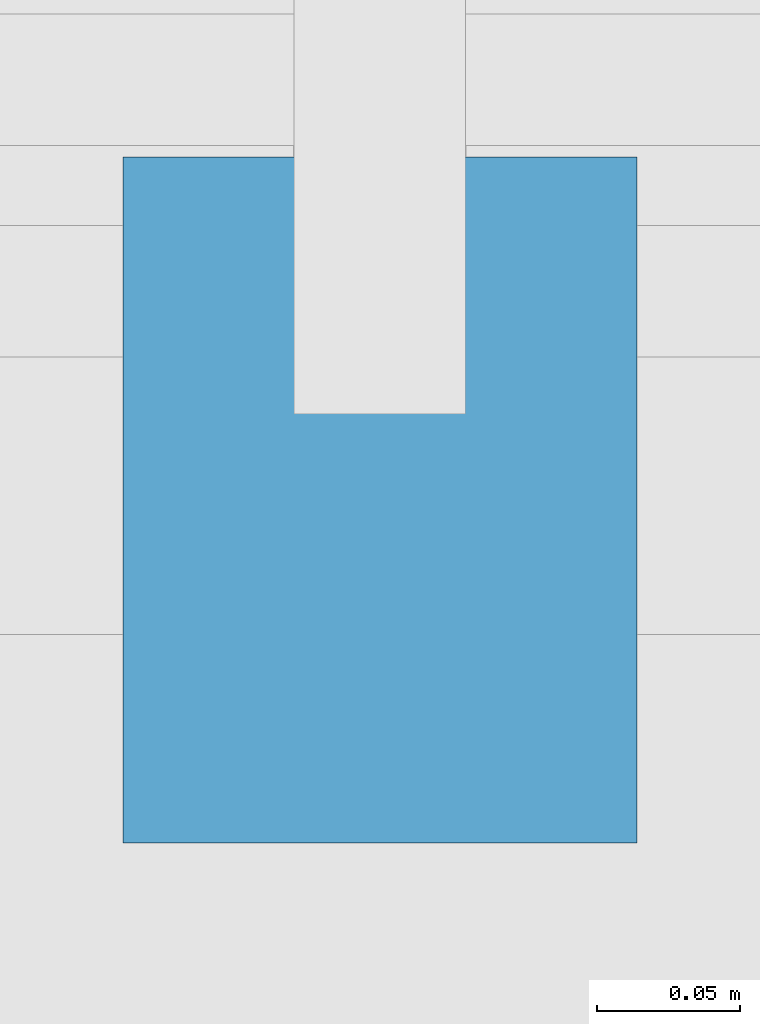
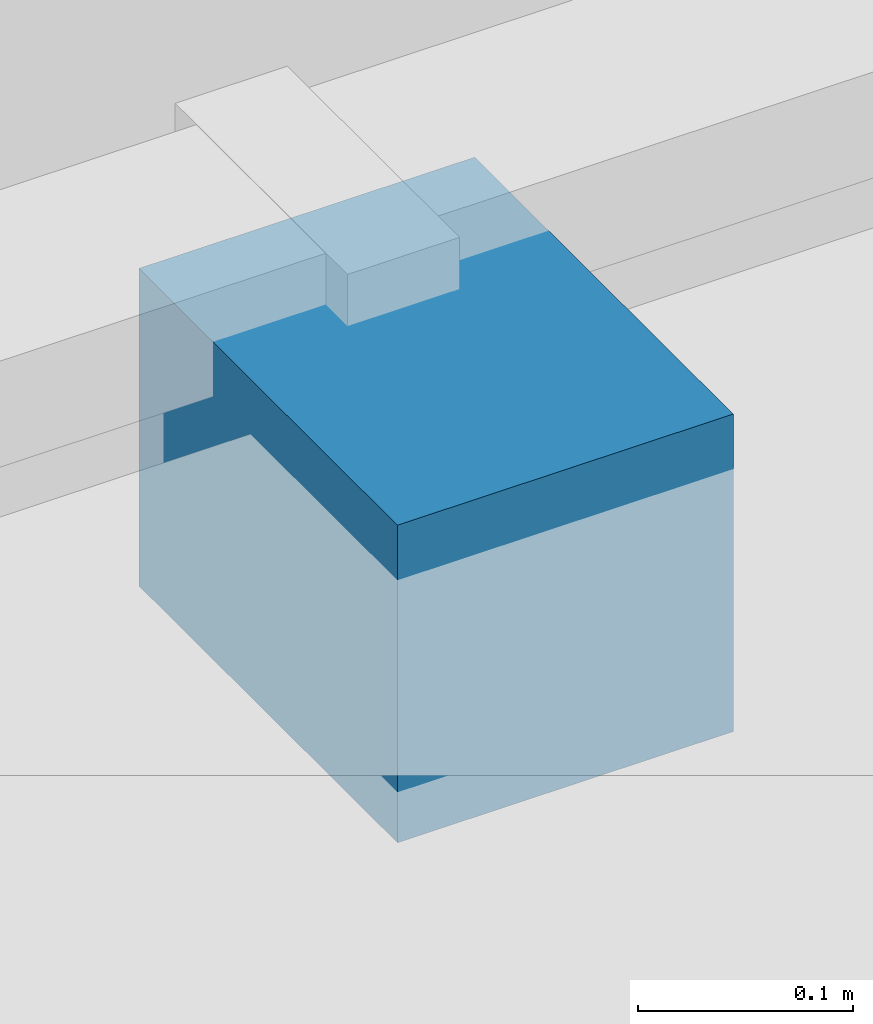
# One storey, part 76 of 105: 1 discrete accessory.
"""IFC4 building model written with IfcOpenShell, lengths in metres."""

import ifcopenshell
import ifcopenshell.guid

model = None  # the IFC model being written
_history = None  # IfcOwnerHistory: only IFC2X3 demands one
_inside = {}  # id of a spatial element -> (the spatial element, [elements in it])
_under = {}  # id of a project, library or spatial element -> (it, [spatial elements below it])
_declared = {}  # id of a project -> (the project, [libraries it declares])
_typed = {}  # id of a type object -> (the type object, [elements of that type])
_made_of = {}  # id of a material, layer set ... -> (it, [elements and type objects made of it])


def new_model(schema):
    """Start an empty IFC model of exactly this schema.

    Asked for "IFC4X3", IfcOpenShell would pick the latest addendum, in which some entities
    have other attributes; the version numbers below select the first issue.
    IFC2X3 requires an IfcOwnerHistory on every rooted entity: one is made here for all.
    """
    global model, _history
    if schema == "IFC4X3":
        model = ifcopenshell.file(schema_version=(4, 3, 0, 0))
    else:
        model = ifcopenshell.file(schema=schema)
    _inside.clear()
    _under.clear()
    _declared.clear()
    _typed.clear()
    _made_of.clear()
    _history = None
    if model.schema == "IFC2X3":
        org = make("IfcOrganization", Name="unknown")
        user = make(
            "IfcPersonAndOrganization",
            ThePerson=make("IfcPerson", FamilyName="unknown"),
            TheOrganization=org,
        )
        app = make(
            "IfcApplication",
            ApplicationDeveloper=org,
            Version="unknown",
            ApplicationFullName="unknown",
            ApplicationIdentifier="unknown",
        )
        _history = make(
            "IfcOwnerHistory",
            OwningUser=user,
            OwningApplication=app,
            ChangeAction="ADDED",
            CreationDate=0,
        )
    return model


def make(cls, **values):
    """One entity of the class cls with the attributes given. An attribute that is None is left unset."""
    return model.create_entity(
        cls, **{name: value for name, value in values.items() if value is not None}
    )


def rooted(cls, **values):
    """An entity with a GlobalId (a new one), such as an element, a storey or a relation."""
    return make(cls, GlobalId=ifcopenshell.guid.new(), OwnerHistory=_history, **values)


def si_unit(unit_type, name, prefix=None):
    """IfcSIUnit, for example si_unit("LENGTHUNIT", "METRE", prefix="MILLI")."""
    return make("IfcSIUnit", UnitType=unit_type, Prefix=prefix, Name=name)


def assignment(units):
    """IfcUnitAssignment: the units of a project."""
    return None if units is None else make("IfcUnitAssignment", Units=units)


def point(xyz):
    """IfcCartesianPoint."""
    return None if xyz is None else make("IfcCartesianPoint", Coordinates=xyz)


def direction(xyz):
    """IfcDirection."""
    return None if xyz is None else make("IfcDirection", DirectionRatios=xyz)


def frame(location, z_axis=None, x_axis=None):
    """IfcAxis2Placement3D, a coordinate frame: its origin and axes. An axis left out is left unset."""
    return make(
        "IfcAxis2Placement3D",
        Location=point(location),
        Axis=direction(z_axis),
        RefDirection=direction(x_axis),
    )


def frame_2d(location, x_axis=None):
    """IfcAxis2Placement2D, a coordinate frame in the plane: its origin and x axis."""
    return make(
        "IfcAxis2Placement2D", Location=point(location), RefDirection=direction(x_axis)
    )


def origin():
    """The frame at (0, 0, 0) with its axes left unset."""
    return frame((0.0, 0.0, 0.0))


def origin_2d():
    """The frame at (0, 0) in the plane with its x axis left unset."""
    return frame_2d((0.0, 0.0))


def place(relative_to, where):
    """IfcLocalPlacement: puts the frame where relative to a parent placement (None: the world)."""
    return make(
        "IfcLocalPlacement", PlacementRelTo=relative_to, RelativePlacement=where
    )


def context(
    kind, dimensions, precision=None, world=None, true_north=None, identifier=None
):
    """IfcGeometricRepresentationContext, for example the 3D "Model" context."""
    return make(
        "IfcGeometricRepresentationContext",
        ContextIdentifier=identifier,
        ContextType=kind,
        CoordinateSpaceDimension=dimensions,
        Precision=precision,
        WorldCoordinateSystem=world,
        TrueNorth=true_north,
    )


def subcontext(parent, identifier, kind, view, scale=None):
    """IfcGeometricRepresentationSubContext, for example "Body" below "Model"."""
    return make(
        "IfcGeometricRepresentationSubContext",
        ContextIdentifier=identifier,
        ContextType=kind,
        ParentContext=parent,
        TargetScale=scale,
        TargetView=view,
    )


def project(units=None, contexts=None):
    """IfcProject with its units and contexts."""
    return rooted(
        "IfcProject",
        Name="project",
        RepresentationContexts=contexts,
        UnitsInContext=assignment(units),
    )


def spatial(cls, under=None, at=None, **own):
    """A site, building, storey or space (cls), placed at a placement, below another one or the project."""
    s = rooted(cls, ObjectPlacement=at, **own)
    if under is not None:
        _under.setdefault(under.id(), (under, []))[1].append(s)
    return s


def profile(cls, at=None, kind="AREA", **sizes):
    """A parametric profile (cls). Its sizes go by their IFC names, for example OverallWidth=200.0."""
    return make(cls, ProfileType=kind, Position=at, **sizes)


def rectangle(**sizes):
    """IfcRectangleProfileDef."""
    return profile("IfcRectangleProfileDef", **sizes)


def extrude(swept, where, along, depth):
    """IfcExtrudedAreaSolid: the profile swept, set in the frame where, extruded along a direction by depth."""
    return make(
        "IfcExtrudedAreaSolid",
        SweptArea=swept,
        Position=where,
        ExtrudedDirection=direction(along),
        Depth=depth,
    )


def shape(context_of_items, identifier, shape_type, items):
    """IfcShapeRepresentation: the items that make up one representation, for example the "Body"."""
    return make(
        "IfcShapeRepresentation",
        ContextOfItems=context_of_items,
        RepresentationIdentifier=identifier,
        RepresentationType=shape_type,
        Items=items,
    )


def material(Name=None, Category=None):
    """IfcMaterial."""
    return make("IfcMaterial", Name=Name, Category=Category)


def made_of(thing, what):
    """Note that an element or type object is made of a material, layer set ...; save() writes the relation."""
    if what is not None:
        _made_of.setdefault(what.id(), (what, []))[1].append(thing)
    return thing


def type_object(cls, material=None, **own):
    """A type object (cls), such as IfcWallType, which elements share."""
    return made_of(rooted(cls, **own), material)


def element(
    cls,
    number,
    at=None,
    inside=None,
    cuts=None,
    type_object=None,
    material=None,
    context=None,
    identifier="Body",
    shape_type=None,
    held_by="IfcProductDefinitionShape",
    body=None,
    shapes=None,
    **own,
):
    """One element of the class cls, such as IfcWall. Its Tag is "e" and its number.

    at: its placement. inside: the storey or other place that contains it. cuts: it is an
    opening in that element (IfcRelVoidsElement). A single representation is given by context,
    identifier, shape_type and body (its items); several are given by shapes. held_by: the class
    of the entity that holds the representations. save() writes the other relations.
    """
    e = rooted(cls, Tag="e%d" % number, ObjectPlacement=at, **own)
    if body is not None:
        shapes = [shape(context, identifier, shape_type, body)]
    if shapes is not None:
        e.Representation = make(held_by, Representations=shapes)
    if inside is not None:
        _inside.setdefault(inside.id(), (inside, []))[1].append(e)
    if cuts is not None:
        rooted(
            "IfcRelVoidsElement", RelatingBuildingElement=cuts, RelatedOpeningElement=e
        )
    if type_object is not None:
        _typed.setdefault(type_object.id(), (type_object, []))[1].append(e)
    return made_of(e, material)


def aggregate(whole, parts):
    """IfcRelAggregates: a whole, such as a stair, and the parts it consists of."""
    return rooted("IfcRelAggregates", RelatingObject=whole, RelatedObjects=parts)


def save(model, path):
    """Write the relations noted so far, then the file.

    IfcRelAggregates (storeys below a building ...), IfcRelContainedInSpatialStructure (elements
    in a storey), IfcRelDefinesByType, IfcRelAssociatesMaterial and IfcRelDeclares: one each for
    every whole, place, type object, material and project.
    """
    for whole, parts in _under.values():
        aggregate(whole, parts)
    for where, things in _inside.values():
        rooted(
            "IfcRelContainedInSpatialStructure",
            RelatedElements=things,
            RelatingStructure=where,
        )
    for kind, things in _typed.values():
        rooted("IfcRelDefinesByType", RelatedObjects=things, RelatingType=kind)
    for what, things in _made_of.values():
        rooted("IfcRelAssociatesMaterial", RelatedObjects=things, RelatingMaterial=what)
    for by, libraries in _declared.values():
        rooted("IfcRelDeclares", RelatingContext=by, RelatedDefinitions=libraries)
    model.write(path)


model = new_model("IFC4")

# Units and contexts
model_context = context("Model", 3, precision=1e-05, world=origin(), true_north=direction((0.0, 1.0)))
body_context = subcontext(model_context, "Body", "Model", "MODEL_VIEW")
ifc_project = project(units=[si_unit("LENGTHUNIT", "METRE"), si_unit("AREAUNIT", "SQUARE_METRE"), si_unit("VOLUMEUNIT", "CUBIC_METRE"), si_unit("PLANEANGLEUNIT", "RADIAN"), si_unit("MASSUNIT", "GRAM", prefix="KILO")], contexts=[model_context])

# Site, building, storey
site_placement = place(None, origin())
site = spatial("IfcSite", under=ifc_project, at=site_placement, CompositionType="ELEMENT")
building_placement = place(site_placement, origin())
building = spatial("IfcBuilding", under=site, at=building_placement, Name="Kisiwana Market Hall", CompositionType="ELEMENT")
storey_placement = place(building_placement, frame((0.0, 0.0, 21.60009765625)))
storey = spatial("IfcBuildingStorey", under=building, at=storey_placement, Name="L04", CompositionType="ELEMENT", Elevation=21.60009765625)

# Discrete accessory
ifc_material = material(Name="Steel S355", Category="steel")
discrete_accessory_type = type_object("IfcDiscreteAccessoryType", Name="ACC-BRACKET-STL", PredefinedType="BRACKET", material=ifc_material)
discrete_accessory_placement = place(storey_placement, frame((126.0, 17.889892578125, 3.375), z_axis=(0.0, 0.0, 1.0), x_axis=(1.0, 0.0, 0.0)))
element("IfcDiscreteAccessory", 1, at=discrete_accessory_placement, inside=storey, type_object=discrete_accessory_type, Name="Sunshade steel bracket BRK-058", PredefinedType="BRACKET", context=body_context, shape_type="SweptSolid", body=[
    extrude(rectangle(XDim=0.179931640625, YDim=0.239990234375, at=origin_2d()), origin(), (0.0, 0.0, 1.0), 0.179931640625),
])

save(model, "model.ifc")
